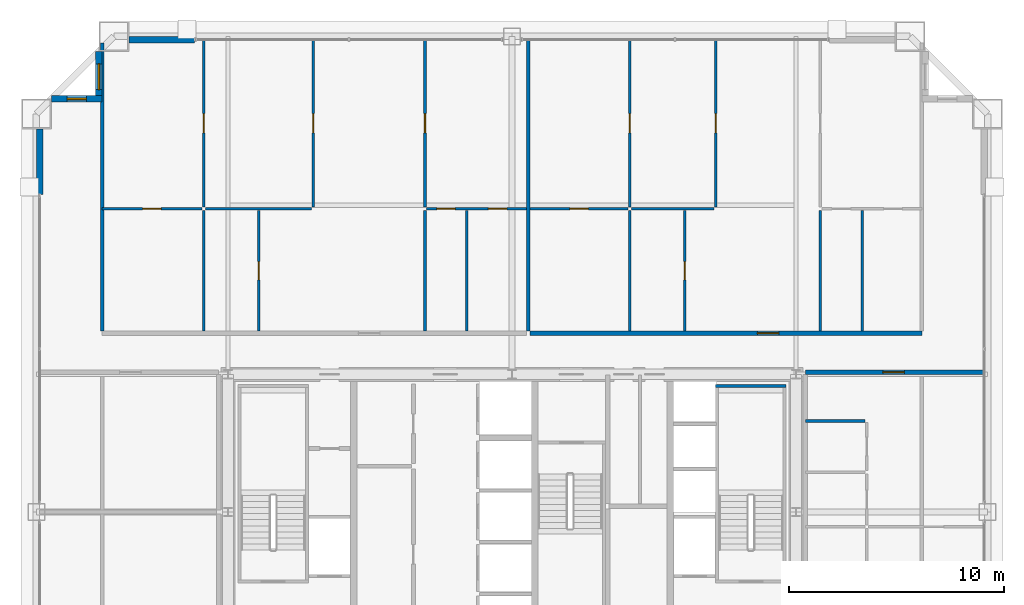
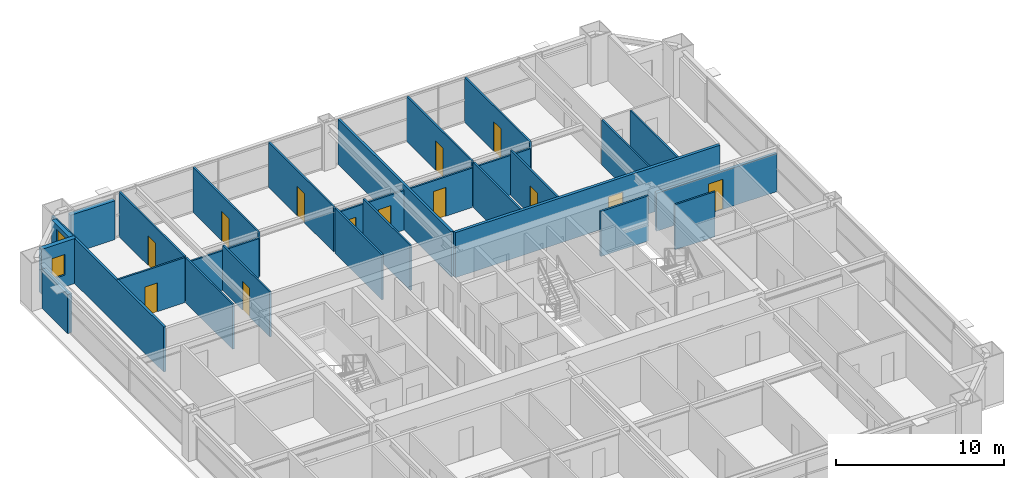
# One storey, part 36 of 38: 28 walls, 13 doors, 2 windows, 15 openings.
"""IFC4 building model written with IfcOpenShell, lengths in metres."""

from ifc_helpers import new_model, si_unit, direction, frame, frame_2d, origin, place, context, subcontext, project, spatial, rectangle, extrude, source, transform, mapped, material, layer, layer_set, type_object, element, fill, save


model = new_model("IFC4")

# Units and contexts
model_context = context("Model", 3, precision=1e-05, world=origin(), true_north=direction((0.0, 1.0)))
body_context = subcontext(model_context, "Body", "Model", "MODEL_VIEW")
ifc_project = project(units=[si_unit("LENGTHUNIT", "METRE"), si_unit("AREAUNIT", "SQUARE_METRE"), si_unit("VOLUMEUNIT", "CUBIC_METRE"), si_unit("PLANEANGLEUNIT", "RADIAN"), si_unit("MASSUNIT", "GRAM", prefix="KILO"), si_unit("THERMODYNAMICTEMPERATUREUNIT", "KELVIN"), si_unit("POWERUNIT", "WATT")], contexts=[model_context])

# Site, building, storey
site_placement = place(None, origin())
site = spatial("IfcSite", under=ifc_project, at=site_placement, CompositionType="ELEMENT")
building_placement = place(site_placement, origin())
building = spatial("IfcBuilding", under=site, at=building_placement, Name="Yuzanri Waterfront Tower", CompositionType="ELEMENT")
storey_placement = place(building_placement, frame((0.0, 0.0, 195.0)))
storey = spatial("IfcBuildingStorey", under=building, at=storey_placement, Name="L51", CompositionType="ELEMENT", Elevation=195.0)

# Wall, opening, door
ifc_material_1 = material(Name="Moisture-Resistant Gypsum Stud Wall", Category="gypsum")
ifc_layer_1 = layer(ifc_material_1, 0.1201171875)
ifc_layer_set_1 = layer_set([ifc_layer_1], Name="Moisture-Resistant Gypsum Stud Wall")
wall_type_1 = type_object("IfcWallType", Name="Bathroom and Kitchen Wet Partition 120", PredefinedType="PARTITIONING", material=ifc_layer_set_1)
wall_1_placement = place(storey_placement, frame((17.93994140625, 39.89990234375, 0.0), z_axis=(0.0, 0.0, 1.0), x_axis=(1.0, 0.0, 0.0)))
wall_1 = element("IfcWall", 1, at=wall_1_placement, inside=storey, type_object=wall_type_1, Name="L51 Partition UW-L51-RN1-SUB-1-N", PredefinedType="PARTITIONING", context=body_context, shape_type="SweptSolid", body=[
    extrude(rectangle(XDim=4.64697265625, YDim=0.1201171875, at=frame_2d((2.323486328125, 0.0))), origin(), (0.0, 0.0, 1.0), 3.280029296875),
])
opening_1_placement = place(wall_1_placement, frame((1.8984375, 0.0, 0.0)))
opening_1 = element("IfcOpeningElement", 2, at=opening_1_placement, cuts=wall_1, Name="Opening ID-0850", PredefinedType="OPENING", context=body_context, shape_type="SweptSolid", body=[
    extrude(rectangle(XDim=0.85009765625, YDim=2.10009765625, at=frame_2d((0.425048828125, 1.050048828125))), frame((0.0, 0.074951171875, 0.0), z_axis=(0.0, -1.0, 0.0), x_axis=(1.0, 0.0, 0.0)), (0.0, 0.0, 1.0), 0.14990234375),
])
ifc_material_2 = material(Name="Moisture-Resistant Lacquered Timber", Category="wood")
door_type_1 = type_object("IfcDoorType", Name="En-Suite Bathroom and Kitchen Swing Door 850x2100", OperationType="NOTDEFINED", PredefinedType="DOOR", material=ifc_material_2)
shared_shape_1 = source(origin(), body_context, "Body", "SweptSolid", [
    extrude(rectangle(XDim=0.85009765625, YDim=2.10009765625, at=frame_2d((0.425048828125, 1.050048828125))), frame((0.0, 0.02490234375, 0.0), z_axis=(0.0, -1.0, 0.0), x_axis=(1.0, 0.0, 0.0)), (0.0, 0.0, 1.0), 0.050048828125),
])
door_1_placement = place(opening_1_placement, origin())
door_1 = element("IfcDoor", 3, at=door_1_placement, inside=storey, type_object=door_type_1, Name="L51 Suite Interior Room Door", OperationType="SINGLE_SWING_RIGHT", OverallHeight=2.10009765625, OverallWidth=0.85009765625, PredefinedType="DOOR", context=body_context, shape_type="MappedRepresentation", body=[
    mapped(shared_shape_1, transform((0.0, 0.0, 0.0), scale=1.0)),
])
fill(opening_1, door_1)

wall_2_placement = place(storey_placement, frame((25.22705078125, 34.2099609375, 0.0), z_axis=(0.0, 0.0, 1.0), x_axis=(0.0, 1.0, 0.0)))
wall_2 = element("IfcWall", 4, at=wall_2_placement, inside=storey, type_object=wall_type_1, Name="L51 Partition UW-L51-RN1-SUB-2-E", PredefinedType="PARTITIONING", context=body_context, shape_type="SweptSolid", body=[
    extrude(rectangle(XDim=5.610107421875, YDim=0.1201171875, at=frame_2d((2.80517578125, 0.0))), origin(), (0.0, 0.0, 1.0), 3.280029296875),
])
opening_2_placement = place(wall_2_placement, frame((2.3798828125, 0.0, 0.0)))
opening_2 = element("IfcOpeningElement", 5, at=opening_2_placement, cuts=wall_2, Name="Opening ID-0850", PredefinedType="OPENING", context=body_context, shape_type="SweptSolid", body=[
    extrude(rectangle(XDim=0.85009765625, YDim=2.10009765625, at=frame_2d((0.425048828125, 1.050048828125))), frame((0.0, 0.074951171875, 0.0), z_axis=(0.0, -1.0, 0.0), x_axis=(1.0, 0.0, 0.0)), (0.0, 0.0, 1.0), 0.14990234375),
])
door_2_placement = place(opening_2_placement, origin())
door_2 = element("IfcDoor", 6, at=door_2_placement, inside=storey, type_object=door_type_1, Name="L51 Suite Interior Room Door", OperationType="SINGLE_SWING_LEFT", OverallHeight=2.10009765625, OverallWidth=0.85009765625, PredefinedType="DOOR", context=body_context, shape_type="MappedRepresentation", body=[
    mapped(shared_shape_1, transform((0.0, 0.0, 0.0), scale=1.0)),
])
fill(opening_2, door_2)

wall_3_placement = place(storey_placement, frame((22.6669921875, 39.97998046875, 0.0), z_axis=(0.0, 0.0, 1.0), x_axis=(0.0, 1.0, 0.0)))
wall_3 = element("IfcWall", 7, at=wall_3_placement, inside=storey, type_object=wall_type_1, Name="L51 Partition UW-L51-RN1-SUB-5-E", PredefinedType="PARTITIONING", context=body_context, shape_type="SweptSolid", body=[
    extrude(rectangle(XDim=7.77001953125, YDim=0.1201171875, at=frame_2d((3.885009765625, 0.0))), origin(), (0.0, 0.0, 1.0), 3.280029296875),
])
opening_3_placement = place(wall_3_placement, frame((3.43505859375, 0.0, 0.0)))
opening_3 = element("IfcOpeningElement", 8, at=opening_3_placement, cuts=wall_3, Name="Opening ID-0900", PredefinedType="OPENING", context=body_context, shape_type="SweptSolid", body=[
    extrude(rectangle(XDim=0.89990234375, YDim=2.14990234375, at=frame_2d((0.449951171875, 1.074951171875))), frame((0.0, 0.074951171875, 0.0), z_axis=(0.0, -1.0, 0.0), x_axis=(1.0, 0.0, 0.0)), (0.0, 0.0, 1.0), 0.14990234375),
])
ifc_material_3 = material(Name="Stained Walnut Veneer Timber", Category="wood")
door_type_2 = type_object("IfcDoorType", Name="Bedroom and Study Interior Swing Door 900x2150", OperationType="NOTDEFINED", PredefinedType="DOOR", material=ifc_material_3)
shared_shape_2 = source(origin(), body_context, "Body", "SweptSolid", [
    extrude(rectangle(XDim=0.89990234375, YDim=2.14990234375, at=frame_2d((0.449951171875, 1.074951171875))), frame((0.0, 0.02490234375, 0.0), z_axis=(0.0, -1.0, 0.0), x_axis=(1.0, 0.0, 0.0)), (0.0, 0.0, 1.0), 0.050048828125),
])
door_3_placement = place(opening_3_placement, origin())
door_3 = element("IfcDoor", 9, at=door_3_placement, inside=storey, type_object=door_type_2, Name="L51 Suite Interior Room Door", OperationType="SINGLE_SWING_RIGHT", OverallHeight=2.14990234375, OverallWidth=0.89990234375, PredefinedType="DOOR", context=body_context, shape_type="MappedRepresentation", body=[
    mapped(shared_shape_2, transform((0.0, 0.0, 0.0), scale=1.0)),
])
fill(opening_3, door_3)

# Wall, openings, doors
wall_4_placement = place(storey_placement, frame((33.034912109375, 39.89990234375, 0.0), z_axis=(0.0, 0.0, 1.0), x_axis=(1.0, 0.0, 0.0)))
wall_4 = element("IfcWall", 10, at=wall_4_placement, inside=storey, type_object=wall_type_1, Name="L51 Partition UW-L51-RN1-SUB-6-S", PredefinedType="PARTITIONING", context=body_context, shape_type="SweptSolid", body=[
    extrude(rectangle(XDim=4.64697265625, YDim=0.1201171875, at=frame_2d((2.323486328125, 0.0))), origin(), (0.0, 0.0, 1.0), 2.875),
])
opening_4_placement = place(wall_4_placement, frame((2.8720703125, 0.0, 0.0)))
opening_4 = element("IfcOpeningElement", 11, at=opening_4_placement, cuts=wall_4, Name="Opening ID-0850", PredefinedType="OPENING", context=body_context, shape_type="SweptSolid", body=[
    extrude(rectangle(XDim=0.85009765625, YDim=2.10009765625, at=frame_2d((0.425048828125, 1.050048828125))), frame((0.0, 0.074951171875, 0.0), z_axis=(0.0, -1.0, 0.0), x_axis=(1.0, 0.0, 0.0)), (0.0, 0.0, 1.0), 0.14990234375),
])
opening_5_placement = place(wall_4_placement, frame((0.468505859375, 0.0, 0.0)))
opening_5 = element("IfcOpeningElement", 12, at=opening_5_placement, cuts=wall_4, Name="Opening ID-0850", PredefinedType="OPENING", context=body_context, shape_type="SweptSolid", body=[
    extrude(rectangle(XDim=0.85009765625, YDim=2.10009765625, at=frame_2d((0.425048828125, 1.050048828125))), frame((0.0, 0.074951171875, 0.0), z_axis=(0.0, -1.0, 0.0), x_axis=(1.0, 0.0, 0.0)), (0.0, 0.0, 1.0), 0.14990234375),
])
door_4_placement = place(opening_4_placement, origin())
door_4 = element("IfcDoor", 13, at=door_4_placement, inside=storey, type_object=door_type_1, Name="L51 Suite Interior Room Door", OperationType="SINGLE_SWING_RIGHT", OverallHeight=2.10009765625, OverallWidth=0.85009765625, PredefinedType="DOOR", context=body_context, shape_type="MappedRepresentation", body=[
    mapped(shared_shape_1, transform((0.0, 0.0, 0.0), scale=1.0)),
])
fill(opening_4, door_4)
door_5_placement = place(opening_5_placement, origin())
door_5 = element("IfcDoor", 14, at=door_5_placement, inside=storey, type_object=door_type_1, Name="L51 Suite Interior Room Door", OperationType="SINGLE_SWING_LEFT", OverallHeight=2.10009765625, OverallWidth=0.85009765625, PredefinedType="DOOR", context=body_context, shape_type="MappedRepresentation", body=[
    mapped(shared_shape_1, transform((0.0, 0.0, 0.0), scale=1.0)),
])
fill(opening_5, door_5)

# Wall, opening, door
wall_5_placement = place(storey_placement, frame((32.955078125, 39.97998046875, 0.0), z_axis=(0.0, 0.0, 1.0), x_axis=(0.0, 1.0, 0.0)))
wall_5 = element("IfcWall", 15, at=wall_5_placement, inside=storey, type_object=wall_type_1, Name="L51 Partition UW-L51-RN1-SUB-6-W", PredefinedType="PARTITIONING", context=body_context, shape_type="SweptSolid", body=[
    extrude(rectangle(XDim=7.77001953125, YDim=0.1201171875, at=frame_2d((3.885009765625, 0.0))), origin(), (0.0, 0.0, 1.0), 3.280029296875),
])
opening_6_placement = place(wall_5_placement, frame((3.43505859375, 0.0, 0.0)))
opening_6 = element("IfcOpeningElement", 16, at=opening_6_placement, cuts=wall_5, Name="Opening ID-0900", PredefinedType="OPENING", context=body_context, shape_type="SweptSolid", body=[
    extrude(rectangle(XDim=0.89990234375, YDim=2.14990234375, at=frame_2d((0.449951171875, 1.074951171875))), frame((0.0, 0.074951171875, 0.0), z_axis=(0.0, -1.0, 0.0), x_axis=(1.0, 0.0, 0.0)), (0.0, 0.0, 1.0), 0.14990234375),
])
door_6_placement = place(opening_6_placement, origin())
door_6 = element("IfcDoor", 17, at=door_6_placement, inside=storey, type_object=door_type_2, Name="L51 Suite Interior Room Door", OperationType="SINGLE_SWING_LEFT", OverallHeight=2.14990234375, OverallWidth=0.89990234375, PredefinedType="DOOR", context=body_context, shape_type="MappedRepresentation", body=[
    mapped(shared_shape_2, transform((0.0, 0.0, 0.0), scale=1.0)),
])
fill(opening_6, door_6)

wall_6_placement = place(storey_placement, frame((27.7548828125, 39.97998046875, 0.0), z_axis=(0.0, 0.0, 1.0), x_axis=(0.0, 1.0, 0.0)))
wall_6 = element("IfcWall", 18, at=wall_6_placement, inside=storey, type_object=wall_type_1, Name="L51 Partition UW-L51-RN1-SUB-7-E", PredefinedType="PARTITIONING", context=body_context, shape_type="SweptSolid", body=[
    extrude(rectangle(XDim=7.77001953125, YDim=0.1201171875, at=frame_2d((3.885009765625, 0.0))), origin(), (0.0, 0.0, 1.0), 3.280029296875),
])
opening_7_placement = place(wall_6_placement, frame((3.43505859375, 0.0, 0.0)))
opening_7 = element("IfcOpeningElement", 19, at=opening_7_placement, cuts=wall_6, Name="Opening ID-0900", PredefinedType="OPENING", context=body_context, shape_type="SweptSolid", body=[
    extrude(rectangle(XDim=0.89990234375, YDim=2.14990234375, at=frame_2d((0.449951171875, 1.074951171875))), frame((0.0, 0.074951171875, 0.0), z_axis=(0.0, -1.0, 0.0), x_axis=(1.0, 0.0, 0.0)), (0.0, 0.0, 1.0), 0.14990234375),
])
door_7_placement = place(opening_7_placement, origin())
door_7 = element("IfcDoor", 20, at=door_7_placement, inside=storey, type_object=door_type_2, Name="L51 Suite Interior Room Door", OperationType="SINGLE_SWING_RIGHT", OverallHeight=2.14990234375, OverallWidth=0.89990234375, PredefinedType="DOOR", context=body_context, shape_type="MappedRepresentation", body=[
    mapped(shared_shape_2, transform((0.0, 0.0, 0.0), scale=1.0)),
])
fill(opening_7, door_7)

wall_7_placement = place(storey_placement, frame((37.842041015625, 39.89990234375, 0.0), z_axis=(0.0, 0.0, 1.0), x_axis=(1.0, 0.0, 0.0)))
wall_7 = element("IfcWall", 21, at=wall_7_placement, inside=storey, type_object=wall_type_1, Name="L51 Partition UW-L51-RN2-SUB-1-N", PredefinedType="PARTITIONING", context=body_context, shape_type="SweptSolid", body=[
    extrude(rectangle(XDim=4.553955078125, YDim=0.1201171875, at=frame_2d((2.27685546875, 0.0))), origin(), (0.0, 0.0, 1.0), 2.875),
])
opening_8_placement = place(wall_7_placement, frame((1.85205078125, 0.0, 0.0)))
opening_8 = element("IfcOpeningElement", 22, at=opening_8_placement, cuts=wall_7, Name="Opening ID-0850", PredefinedType="OPENING", context=body_context, shape_type="SweptSolid", body=[
    extrude(rectangle(XDim=0.85009765625, YDim=2.10009765625, at=frame_2d((0.425048828125, 1.050048828125))), frame((0.0, 0.074951171875, 0.0), z_axis=(0.0, -1.0, 0.0), x_axis=(1.0, 0.0, 0.0)), (0.0, 0.0, 1.0), 0.14990234375),
])
door_8_placement = place(opening_8_placement, origin())
door_8 = element("IfcDoor", 23, at=door_8_placement, inside=storey, type_object=door_type_1, Name="L51 Suite Interior Room Door", OperationType="SINGLE_SWING_RIGHT", OverallHeight=2.10009765625, OverallWidth=0.85009765625, PredefinedType="DOOR", context=body_context, shape_type="MappedRepresentation", body=[
    mapped(shared_shape_1, transform((0.0, 0.0, 0.0), scale=1.0)),
])
fill(opening_8, door_8)

wall_8_placement = place(storey_placement, frame((45.035888671875, 34.2099609375, 0.0), z_axis=(0.0, 0.0, 1.0), x_axis=(0.0, 1.0, 0.0)))
wall_8 = element("IfcWall", 24, at=wall_8_placement, inside=storey, type_object=wall_type_1, Name="L51 Partition UW-L51-RN2-SUB-2-E", PredefinedType="PARTITIONING", context=body_context, shape_type="SweptSolid", body=[
    extrude(rectangle(XDim=5.610107421875, YDim=0.1201171875, at=frame_2d((2.80517578125, 0.0))), origin(), (0.0, 0.0, 1.0), 3.280029296875),
])
opening_9_placement = place(wall_8_placement, frame((2.3798828125, 0.0, 0.0)))
opening_9 = element("IfcOpeningElement", 25, at=opening_9_placement, cuts=wall_8, Name="Opening ID-0850", PredefinedType="OPENING", context=body_context, shape_type="SweptSolid", body=[
    extrude(rectangle(XDim=0.85009765625, YDim=2.10009765625, at=frame_2d((0.425048828125, 1.050048828125))), frame((0.0, 0.074951171875, 0.0), z_axis=(0.0, -1.0, 0.0), x_axis=(1.0, 0.0, 0.0)), (0.0, 0.0, 1.0), 0.14990234375),
])
door_9_placement = place(opening_9_placement, origin())
door_9 = element("IfcDoor", 26, at=door_9_placement, inside=storey, type_object=door_type_1, Name="L51 Suite Interior Room Door", OperationType="SINGLE_SWING_LEFT", OverallHeight=2.10009765625, OverallWidth=0.85009765625, PredefinedType="DOOR", context=body_context, shape_type="MappedRepresentation", body=[
    mapped(shared_shape_1, transform((0.0, 0.0, 0.0), scale=1.0)),
])
fill(opening_9, door_9)

wall_9_placement = place(storey_placement, frame((42.47607421875, 39.97998046875, 0.0), z_axis=(0.0, 0.0, 1.0), x_axis=(0.0, 1.0, 0.0)))
wall_9 = element("IfcWall", 27, at=wall_9_placement, inside=storey, type_object=wall_type_1, Name="L51 Partition UW-L51-RN2-SUB-5-E", PredefinedType="PARTITIONING", context=body_context, shape_type="SweptSolid", body=[
    extrude(rectangle(XDim=7.77001953125, YDim=0.1201171875, at=frame_2d((3.885009765625, 0.0))), origin(), (0.0, 0.0, 1.0), 3.280029296875),
])
opening_10_placement = place(wall_9_placement, frame((3.43505859375, 0.0, 0.0)))
opening_10 = element("IfcOpeningElement", 28, at=opening_10_placement, cuts=wall_9, Name="Opening ID-0900", PredefinedType="OPENING", context=body_context, shape_type="SweptSolid", body=[
    extrude(rectangle(XDim=0.89990234375, YDim=2.14990234375, at=frame_2d((0.449951171875, 1.074951171875))), frame((0.0, 0.074951171875, 0.0), z_axis=(0.0, -1.0, 0.0), x_axis=(1.0, 0.0, 0.0)), (0.0, 0.0, 1.0), 0.14990234375),
])
door_10_placement = place(opening_10_placement, origin())
door_10 = element("IfcDoor", 29, at=door_10_placement, inside=storey, type_object=door_type_2, Name="L51 Suite Interior Room Door", OperationType="SINGLE_SWING_RIGHT", OverallHeight=2.14990234375, OverallWidth=0.89990234375, PredefinedType="DOOR", context=body_context, shape_type="MappedRepresentation", body=[
    mapped(shared_shape_2, transform((0.0, 0.0, 0.0), scale=1.0)),
])
fill(opening_10, door_10)

wall_10_placement = place(storey_placement, frame((46.462890625, 39.97998046875, 0.0), z_axis=(0.0, 0.0, 1.0), x_axis=(0.0, 1.0, 0.0)))
wall_10 = element("IfcWall", 30, at=wall_10_placement, inside=storey, type_object=wall_type_1, Name="L51 Partition UW-L51-RN2-SUB-7-E", PredefinedType="PARTITIONING", context=body_context, shape_type="SweptSolid", body=[
    extrude(rectangle(XDim=7.77001953125, YDim=0.1201171875, at=frame_2d((3.885009765625, 0.0))), origin(), (0.0, 0.0, 1.0), 3.280029296875),
])
opening_11_placement = place(wall_10_placement, frame((3.43505859375, 0.0, 0.0)))
opening_11 = element("IfcOpeningElement", 31, at=opening_11_placement, cuts=wall_10, Name="Opening ID-0900", PredefinedType="OPENING", context=body_context, shape_type="SweptSolid", body=[
    extrude(rectangle(XDim=0.89990234375, YDim=2.14990234375, at=frame_2d((0.449951171875, 1.074951171875))), frame((0.0, 0.074951171875, 0.0), z_axis=(0.0, -1.0, 0.0), x_axis=(1.0, 0.0, 0.0)), (0.0, 0.0, 1.0), 0.14990234375),
])
door_11_placement = place(opening_11_placement, origin())
door_11 = element("IfcDoor", 32, at=door_11_placement, inside=storey, type_object=door_type_2, Name="L51 Suite Interior Room Door", OperationType="SINGLE_SWING_RIGHT", OverallHeight=2.14990234375, OverallWidth=0.89990234375, PredefinedType="DOOR", context=body_context, shape_type="MappedRepresentation", body=[
    mapped(shared_shape_2, transform((0.0, 0.0, 0.0), scale=1.0)),
])
fill(opening_11, door_11)

# Wall, opening, window
ifc_material_4 = material(Name="Honed Chongqing Dark Basalt Stone", Category="masonry")
ifc_layer_2 = layer(ifc_material_4, 0.300048828125)
ifc_layer_set_2 = layer_set([ifc_layer_2], Name="Honed Chongqing Dark Basalt Stone")
wall_type_2 = type_object("IfcWallType", Name="Bronze Rainscreen Insulated Spandrel Portal Wall 300", PredefinedType="SOLIDWALL", material=ifc_layer_set_2)
wall_11_placement = place(storey_placement, frame((17.949951171875, 45.0, 0.0), z_axis=(0.0, 0.0, 1.0), x_axis=(-1.0, 0.0, 0.0)))
wall_11 = element("IfcWall", 33, at=wall_11_placement, inside=storey, type_object=wall_type_2, Name="L51 Notched Corner Masonry Wall NW-X", PredefinedType="SOLIDWALL", context=body_context, shape_type="SweptSolid", body=[
    extrude(rectangle(XDim=2.349853515625, YDim=0.300048828125, at=frame_2d((1.1748046875, 0.0))), origin(), (0.0, 0.0, 1.0), 3.280029296875),
])
opening_12_placement = place(wall_11_placement, frame((0.72509765625, 0.0, 0.85009765625)))
opening_12 = element("IfcOpeningElement", 34, at=opening_12_placement, cuts=wall_11, Name="Opening WN-05", PredefinedType="OPENING", context=body_context, shape_type="SweptSolid", body=[
    extrude(rectangle(XDim=0.89990234375, YDim=1.5, at=frame_2d((0.449951171875, 0.75))), frame((0.0, 0.1650390625, 0.0), z_axis=(0.0, -1.0, 0.0), x_axis=(1.0, 0.0, 0.0)), (0.0, 0.0, 1.0), 0.329833984375),
])
ifc_material_5 = material(Name="Double-Silver Low-E Insulated Glass", Category="glass")
window_type_1 = type_object("IfcWindowType", Name="Anodized Bronze Service and Stairwell Smoke-Vent Window 900x1500", PartitioningType="SINGLE_PANEL", PredefinedType="WINDOW", material=ifc_material_5)
shared_shape_3 = source(origin(), body_context, "Body", "SweptSolid", [
    extrude(rectangle(XDim=0.89990234375, YDim=1.5, at=frame_2d((0.449951171875, 0.75))), frame((0.0, 0.030029296875, 0.0), z_axis=(0.0, -1.0, 0.0), x_axis=(1.0, 0.0, 0.0)), (0.0, 0.0, 1.0), 0.06005859375),
])
window_1_placement = place(opening_12_placement, origin())
window_1 = element("IfcWindow", 35, at=window_1_placement, inside=storey, type_object=window_type_1, Name="L51 Notched Corner Window NW-X", OverallHeight=1.5, OverallWidth=0.89990234375, PartitioningType="SINGLE_PANEL", PredefinedType="WINDOW", context=body_context, shape_type="MappedRepresentation", body=[
    mapped(shared_shape_3, transform((0.0, 0.0, 0.0), scale=1.0)),
])
fill(opening_12, window_1)

wall_12_placement = place(storey_placement, frame((17.800048828125, 47.199951171875, 0.0), z_axis=(0.0, 0.0, 1.0), x_axis=(0.0, -1.0, 0.0)))
wall_12 = element("IfcWall", 36, at=wall_12_placement, inside=storey, type_object=wall_type_2, Name="L51 Notched Corner Masonry Wall NW-Y", PredefinedType="SOLIDWALL", context=body_context, shape_type="SweptSolid", body=[
    extrude(rectangle(XDim=2.349853515625, YDim=0.300048828125, at=frame_2d((1.1748046875, 0.0))), origin(), (0.0, 0.0, 1.0), 3.280029296875),
])
opening_13_placement = place(wall_12_placement, frame((0.574951171875, 0.0, 0.85009765625)))
opening_13 = element("IfcOpeningElement", 37, at=opening_13_placement, cuts=wall_12, Name="Opening WN-02", PredefinedType="OPENING", context=body_context, shape_type="SweptSolid", body=[
    extrude(rectangle(XDim=1.199951171875, YDim=2.10009765625, at=frame_2d((0.60009765625, 1.050048828125))), frame((0.0, 0.1650390625, 0.0), z_axis=(0.0, -1.0, 0.0), x_axis=(1.0, 0.0, 0.0)), (0.0, 0.0, 1.0), 0.329833984375),
])
ifc_material_6 = material(Name="Double-Silver Low-E Insulated Glass", Category="glass")
window_type_2 = type_object("IfcWindowType", Name="Anodized Bronze Notched Corner Deep-Set Slot Window 1200x2100", PartitioningType="SINGLE_PANEL", PredefinedType="WINDOW", material=ifc_material_6)
shared_shape_4 = source(origin(), body_context, "Body", "SweptSolid", [
    extrude(rectangle(XDim=1.199951171875, YDim=2.10009765625, at=frame_2d((0.60009765625, 1.050048828125))), frame((0.0, 0.030029296875, 0.0), z_axis=(0.0, -1.0, 0.0), x_axis=(1.0, 0.0, 0.0)), (0.0, 0.0, 1.0), 0.06005859375),
])
window_2_placement = place(opening_13_placement, origin())
window_2 = element("IfcWindow", 38, at=window_2_placement, inside=storey, type_object=window_type_2, Name="L51 Notched Corner Window NW-Y", OverallHeight=2.10009765625, OverallWidth=1.199951171875, PartitioningType="SINGLE_PANEL", PredefinedType="WINDOW", context=body_context, shape_type="MappedRepresentation", body=[
    mapped(shared_shape_4, transform((0.0, 0.0, 0.0), scale=1.0)),
])
fill(opening_13, window_2)

# Wall, opening, door
ifc_material_7 = material(Name="Autoclaved Aerated Concrete Blockwork", Category="masonry")
ifc_layer_3 = layer(ifc_material_7, 0.199951171875)
ifc_layer_set_3 = layer_set([ifc_layer_3], Name="Autoclaved Aerated Concrete Blockwork")
wall_type_3 = type_object("IfcWallType", Name="Corridor and Unit Party Fire Wall 200", PredefinedType="PARTITIONING", material=ifc_layer_set_3)
wall_13_placement = place(storey_placement, frame((37.842041015625, 34.110107421875, 0.0), z_axis=(0.0, 0.0, 1.0), x_axis=(1.0, 0.0, 0.0)))
wall_13 = element("IfcWall", 39, at=wall_13_placement, inside=storey, type_object=wall_type_3, Name="L51 Partition UW-L51-RN2-CS", PredefinedType="PARTITIONING", context=body_context, shape_type="SweptSolid", body=[
    extrude(rectangle(XDim=18.218017578125, YDim=0.199951171875, at=frame_2d((9.10888671875, 0.0))), origin(), (0.0, 0.0, 1.0), 3.280029296875),
])
opening_14_placement = place(wall_13_placement, frame((10.555908203125, 0.0, 0.0)))
opening_14 = element("IfcOpeningElement", 40, at=opening_14_placement, cuts=wall_13, Name="Opening FD-1000", PredefinedType="OPENING", context=body_context, shape_type="SweptSolid", body=[
    extrude(rectangle(XDim=1.0, YDim=2.199951171875, at=frame_2d((0.5, 1.10009765625))), frame((0.0, 0.11474609375, 0.0), z_axis=(0.0, -1.0, 0.0), x_axis=(1.0, 0.0, 0.0)), (0.0, 0.0, 1.0), 0.229736328125),
])
ifc_material_8 = material(Name="Engineered Oak Fire-Rated Timber", Category="wood")
door_type_3 = type_object("IfcDoorType", Name="Guestroom and Apartment Entrance Fire Door 1000x2200", OperationType="NOTDEFINED", PredefinedType="DOOR", material=ifc_material_8)
shared_shape_5 = source(origin(), body_context, "Body", "SweptSolid", [
    extrude(rectangle(XDim=1.0, YDim=2.199951171875, at=frame_2d((0.5, 1.10009765625))), frame((0.0, 0.02490234375, 0.0), z_axis=(0.0, -1.0, 0.0), x_axis=(1.0, 0.0, 0.0)), (0.0, 0.0, 1.0), 0.050048828125),
])
door_12_placement = place(opening_14_placement, origin())
door_12 = element("IfcDoor", 41, at=door_12_placement, inside=storey, type_object=door_type_3, Name="L51 Apartment Living and Dining Salon Entrance Door", OperationType="SINGLE_SWING_LEFT", OverallHeight=2.199951171875, OverallWidth=1.0, PredefinedType="DOOR", context=body_context, shape_type="MappedRepresentation", body=[
    mapped(shared_shape_5, transform((0.0, 0.0, 0.0), scale=1.0)),
])
fill(opening_14, door_12)

wall_14_placement = place(storey_placement, frame((50.64990234375, 32.2900390625, 0.0), z_axis=(0.0, 0.0, 1.0), x_axis=(1.0, 0.0, 0.0)))
wall_14 = element("IfcWall", 42, at=wall_14_placement, inside=storey, type_object=wall_type_3, Name="L51 Partition UW-L51-RE1-CN", PredefinedType="PARTITIONING", context=body_context, shape_type="SweptSolid", body=[
    extrude(rectangle(XDim=8.300048828125, YDim=0.199951171875, at=frame_2d((4.14990234375, 0.0))), origin(), (0.0, 0.0, 1.0), 2.77490234375),
])
opening_15_placement = place(wall_14_placement, frame((3.5849609375, 0.0, 0.0)))
opening_15 = element("IfcOpeningElement", 43, at=opening_15_placement, cuts=wall_14, Name="Opening FD-1000", PredefinedType="OPENING", context=body_context, shape_type="SweptSolid", body=[
    extrude(rectangle(XDim=1.0, YDim=2.199951171875, at=frame_2d((0.5, 1.10009765625))), frame((0.0, 0.11474609375, 0.0), z_axis=(0.0, -1.0, 0.0), x_axis=(1.0, 0.0, 0.0)), (0.0, 0.0, 1.0), 0.229736328125),
])
door_13_placement = place(opening_15_placement, origin())
door_13 = element("IfcDoor", 44, at=door_13_placement, inside=storey, type_object=door_type_3, Name="L51 Wing Residence Living and Dining Room Entrance Door", OperationType="SINGLE_SWING_LEFT", OverallHeight=2.199951171875, OverallWidth=1.0, PredefinedType="DOOR", context=body_context, shape_type="MappedRepresentation", body=[
    mapped(shared_shape_5, transform((0.0, 0.0, 0.0), scale=1.0)),
])
fill(opening_15, door_13)

# Walls
shared_shape_6 = source(origin(), body_context, "Body", "SweptSolid", [
    extrude(rectangle(XDim=3.050048828125, YDim=0.300048828125, at=frame_2d((1.52490234375, 0.0))), origin(), (0.0, 0.0, 1.0), 2.8349609375),
])
for number, where, z_axis, x_axis, name in (
    (45, (19.199951171875, 47.75, 0.0), (0.0, 0.0, 1.0), (1.0, 0.0, 0.0), "L51 N Left Braced Masonry Shoulder"),
    (46, (15.050048828125, 40.550048828125, 0.0), (0.0, 0.0, 1.0), (0.0, 1.0, 0.0), "L51 W Right Braced Masonry Shoulder"),
):
    element("IfcWall", number, at=place(storey_placement, frame(where, z_axis=z_axis, x_axis=x_axis)), inside=storey, type_object=wall_type_2, Name=name, PredefinedType="SOLIDWALL", context=body_context, shape_type="MappedRepresentation", body=[
        mapped(shared_shape_6, transform((0.0, 0.0, 0.0), scale=1.0)),
    ])
ifc_material_9 = material(Name="Concrete C40", Category="concrete")
ifc_layer_4 = layer(ifc_material_9, 0.139892578125)
ifc_layer_set_4 = layer_set([ifc_layer_4], Name="Concrete C40")
wall_type_4 = type_object("IfcWallType", Name="Core Stair Liner and Hoistway Shaft Wall 140", PredefinedType="SOLIDWALL", material=ifc_layer_set_4)
shared_shape_7 = source(origin(), body_context, "Body", "SweptSolid", [
    extrude(rectangle(XDim=3.280029296875, YDim=0.139892578125, at=frame_2d((1.64013671875, 0.0))), origin(), (0.0, 0.0, 1.0), 3.280029296875),
])
wall_15_placement = place(storey_placement, frame((46.4599609375, 31.64990234375, 0.0), z_axis=(0.0, 0.0, 1.0), x_axis=(1.0, 0.0, 0.0)))
element("IfcWall", 47, at=wall_15_placement, inside=storey, type_object=wall_type_4, Name="L51 Stair ST-02 North Shaft Wall", PredefinedType="SOLIDWALL", context=body_context, shape_type="MappedRepresentation", body=[
    mapped(shared_shape_7, transform((0.0, 0.0, 0.0), scale=1.0)),
])
ifc_material_10 = material(Name="Gypsum Fireboard Acoustic Stud Wall", Category="gypsum")
ifc_layer_5 = layer(ifc_material_10, 0.159912109375)
ifc_layer_set_5 = layer_set([ifc_layer_5], Name="Gypsum Fireboard Acoustic Stud Wall")
wall_type_5 = type_object("IfcWallType", Name="Acoustic Suite Demising Partition 160", PredefinedType="PARTITIONING", material=ifc_layer_set_5)
shared_shape_8 = source(origin(), body_context, "Body", "SweptSolid", [
    extrude(rectangle(XDim=13.5400390625, YDim=0.159912109375, at=frame_2d((6.77001953125, 0.0))), origin(), (0.0, 0.0, 1.0), 3.280029296875),
])
wall_16_placement = place(storey_placement, frame((37.761962890625, 34.2099609375, 0.0), z_axis=(0.0, 0.0, 1.0), x_axis=(0.0, 1.0, 0.0)))
element("IfcWall", 48, at=wall_16_placement, inside=storey, type_object=wall_type_5, Name="L51-RN1 Party Wall", PredefinedType="PARTITIONING", context=body_context, shape_type="MappedRepresentation", body=[
    mapped(shared_shape_8, transform((0.0, 0.0, 0.0), scale=1.0)),
])
shared_shape_9 = source(origin(), body_context, "Body", "SweptSolid", [
    extrude(rectangle(XDim=13.39013671875, YDim=0.159912109375, at=frame_2d((6.695068359375, 0.0))), origin(), (0.0, 0.0, 1.0), 3.280029296875),
])
wall_17_placement = place(storey_placement, frame((17.949951171875, 34.2099609375, 0.0), z_axis=(0.0, 0.0, 1.0), x_axis=(0.0, 1.0, 0.0)))
element("IfcWall", 49, at=wall_17_placement, inside=storey, type_object=wall_type_5, Name="L51 North Band West End Wall", PredefinedType="PARTITIONING", context=body_context, shape_type="MappedRepresentation", body=[
    mapped(shared_shape_9, transform((0.0, 0.0, 0.0), scale=1.0)),
])
shared_shape_10 = source(origin(), body_context, "Body", "SweptSolid", [
    extrude(rectangle(XDim=2.75, YDim=0.1201171875, at=frame_2d((1.375, 0.0))), origin(), (0.0, 0.0, 1.0), 3.280029296875),
])
wall_18_placement = place(storey_placement, frame((50.64990234375, 30.031005859375, 0.0), z_axis=(0.0, 0.0, 1.0), x_axis=(1.0, 0.0, 0.0)))
element("IfcWall", 50, at=wall_18_placement, inside=storey, type_object=wall_type_1, Name="L51 Partition UW-L51-RE1-SUB-2-N", PredefinedType="PARTITIONING", context=body_context, shape_type="MappedRepresentation", body=[
    mapped(shared_shape_10, transform((0.0, 0.0, 0.0), scale=1.0)),
])
shared_shape_11 = source(origin(), body_context, "Body", "SweptSolid", [
    extrude(rectangle(XDim=4.927978515625, YDim=0.1201171875, at=frame_2d((2.4638671875, 0.0))), origin(), (0.0, 0.0, 1.0), 2.875),
])
wall_19_placement = place(storey_placement, frame((22.7470703125, 39.89990234375, 0.0), z_axis=(0.0, 0.0, 1.0), x_axis=(1.0, 0.0, 0.0)))
element("IfcWall", 51, at=wall_19_placement, inside=storey, type_object=wall_type_1, Name="L51 Partition UW-L51-RN1-SUB-7-S", PredefinedType="PARTITIONING", context=body_context, shape_type="MappedRepresentation", body=[
    mapped(shared_shape_11, transform((0.0, 0.0, 0.0), scale=1.0)),
])
shared_shape_12 = source(origin(), body_context, "Body", "SweptSolid", [
    extrude(rectangle(XDim=5.610107421875, YDim=0.1201171875, at=frame_2d((2.80517578125, 0.0))), origin(), (0.0, 0.0, 1.0), 3.280029296875),
])
for number, where, z_axis, x_axis, name in (
    (52, (22.6669921875, 34.2099609375, 0.0), (0.0, 0.0, 1.0), (0.0, 1.0, 0.0), "L51 Partition UW-L51-RN1-SUB-1-E"),
    (53, (34.902099609375, 34.2099609375, 0.0), (0.0, 0.0, 1.0), (0.0, 1.0, 0.0), "L51 Partition UW-L51-RN1-SUB-3-W"),
    (54, (32.955078125, 34.2099609375, 0.0), (0.0, 0.0, 1.0), (0.0, 1.0, 0.0), "L51 Partition UW-L51-RN1-SUB-4-W"),
    (55, (42.47607421875, 34.2099609375, 0.0), (0.0, 0.0, 1.0), (0.0, 1.0, 0.0), "L51 Partition UW-L51-RN2-SUB-1-E"),
    (56, (53.280029296875, 34.2099609375, 0.0), (0.0, 0.0, 1.0), (0.0, 1.0, 0.0), "L51 Partition UW-L51-RN2-SUB-3-W"),
    (57, (51.3330078125, 34.2099609375, 0.0), (0.0, 0.0, 1.0), (0.0, 1.0, 0.0), "L51 Partition UW-L51-RN2-SUB-4-W"),
):
    element("IfcWall", number, at=place(storey_placement, frame(where, z_axis=z_axis, x_axis=x_axis)), inside=storey, type_object=wall_type_1, Name=name, PredefinedType="PARTITIONING", context=body_context, shape_type="MappedRepresentation", body=[
        mapped(shared_shape_12, transform((0.0, 0.0, 0.0), scale=1.0)),
    ])
shared_shape_13 = source(origin(), body_context, "Body", "SweptSolid", [
    extrude(rectangle(XDim=3.8271484375, YDim=0.1201171875, at=frame_2d((1.91357421875, 0.0))), origin(), (0.0, 0.0, 1.0), 2.875),
])
wall_20_placement = place(storey_placement, frame((42.555908203125, 39.89990234375, 0.0), z_axis=(0.0, 0.0, 1.0), x_axis=(1.0, 0.0, 0.0)))
element("IfcWall", 58, at=wall_20_placement, inside=storey, type_object=wall_type_1, Name="L51 Partition UW-L51-RN2-SUB-7-S", PredefinedType="PARTITIONING", context=body_context, shape_type="MappedRepresentation", body=[
    mapped(shared_shape_13, transform((0.0, 0.0, 0.0), scale=1.0)),
])

save(model, "model.ifc")
